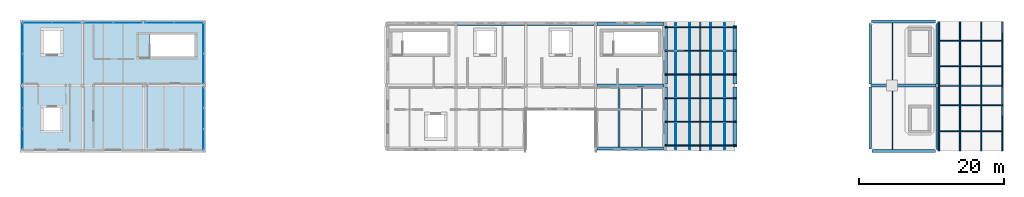
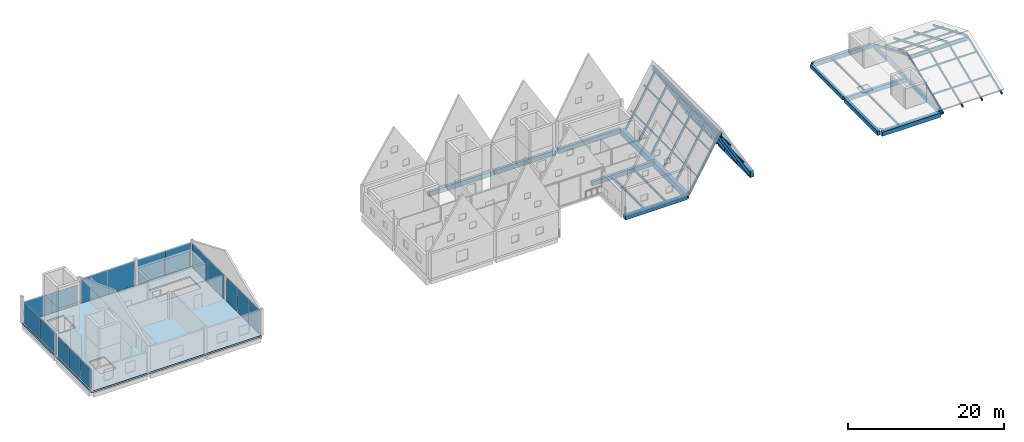
# One storey, part 5 of 13: 28 members, 22 beams, 16 plates, 1 slab, 7 elements without a shape of their own.
"""IFC4 building model written with IfcOpenShell, lengths in metres."""

from ifc_helpers import new_model, si_unit, direction, frame, origin, origin_2d, place, context, subcontext, project, spatial, polyline, rectangle, i_section, outline, extrude, material, layer, layer_set, material_profile, profile_set, type_object, element, aggregate, save


model = new_model("IFC4")

# Units and contexts
model_context = context("Model", 3, precision=1e-05, world=origin(), true_north=direction((0.0, 1.0)))
body_context = subcontext(model_context, "Body", "Model", "MODEL_VIEW")
ifc_project = project(units=[si_unit("LENGTHUNIT", "METRE"), si_unit("AREAUNIT", "SQUARE_METRE"), si_unit("VOLUMEUNIT", "CUBIC_METRE"), si_unit("PLANEANGLEUNIT", "RADIAN"), si_unit("MASSUNIT", "GRAM", prefix="KILO")], contexts=[model_context])

# Site, building, storey
site_placement = place(None, origin())
site = spatial("IfcSite", under=ifc_project, at=site_placement, CompositionType="ELEMENT")
building_placement = place(site_placement, origin())
building = spatial("IfcBuilding", under=site, at=building_placement, Name="Birchvale Park Specialist Clinic", CompositionType="ELEMENT")
storey_placement = place(building_placement, frame((0.0, 0.0, 22.199951171875)))
storey = spatial("IfcBuildingStorey", under=building, at=storey_placement, Name="L05", CompositionType="ELEMENT", Elevation=22.199951171875)

# Beams
ifc_material_1 = material(Name="Concrete C40/50", Category="concrete")
ifc_material_profile_1 = material_profile(ifc_material_1, rectangle(XDim=0.419921875, YDim=0.719970703125, at=origin_2d()), Name="RCB-420x720")
ifc_profile_set_1 = profile_set([ifc_material_profile_1], Name="Concrete C40/50")
beam_type_1 = type_object("IfcBeamType", Name="BM-EXT-BG3", PredefinedType="BEAM", material=ifc_profile_set_1)
beam_1_placement = place(storey_placement, frame((90.385009765625, 17.14990234375, -0.619873046875), z_axis=(1.0, 0.0, 0.0), x_axis=(0.0, 1.0, 0.0)))
element("IfcBeam", 1, at=beam_1_placement, inside=storey, type_object=beam_type_1, Name="V4 L05 X girder 3", PredefinedType="BEAM", context=body_context, shape_type="SweptSolid", body=[
    extrude(rectangle(XDim=0.419921875, YDim=0.719970703125, at=origin_2d()), origin(), (0.0, 0.0, 1.0), 9.175048828125),
])
beam_2_placement = place(storey_placement, frame((71.215087890625, 34.25, -0.619873046875), z_axis=(1.0, 0.0, 0.0), x_axis=(0.0, 1.0, 0.0)))
element("IfcBeam", 2, at=beam_2_placement, inside=storey, type_object=beam_type_1, Name="V4 L05 X girder 9", PredefinedType="BEAM", context=body_context, shape_type="SweptSolid", body=[
    extrude(rectangle(XDim=0.419921875, YDim=0.719970703125, at=origin_2d()), origin(), (0.0, 0.0, 1.0), 9.19482421875),
])
beam_3_placement = place(storey_placement, frame((80.7900390625, 34.25, -0.619873046875), z_axis=(1.0, 0.0, 0.0), x_axis=(0.0, 1.0, 0.0)))
element("IfcBeam", 3, at=beam_3_placement, inside=storey, type_object=beam_type_1, Name="V4 L05 X girder 10", PredefinedType="BEAM", context=body_context, shape_type="SweptSolid", body=[
    extrude(rectangle(XDim=0.419921875, YDim=0.719970703125, at=origin_2d()), origin(), (0.0, 0.0, 1.0), 9.224853515625),
])
beam_4_placement = place(storey_placement, frame((90.385009765625, 34.25, -0.619873046875), z_axis=(1.0, 0.0, 0.0), x_axis=(0.0, 1.0, 0.0)))
element("IfcBeam", 4, at=beam_4_placement, inside=storey, type_object=beam_type_1, Name="V4 L05 X girder 11", PredefinedType="BEAM", context=body_context, shape_type="SweptSolid", body=[
    extrude(rectangle(XDim=0.419921875, YDim=0.719970703125, at=origin_2d()), origin(), (0.0, 0.0, 1.0), 9.22998046875),
])
ifc_material_profile_2 = material_profile(ifc_material_1, rectangle(XDim=0.3798828125, YDim=0.639892578125, at=origin_2d()), Name="RCB-380x640")
ifc_profile_set_2 = profile_set([ifc_material_profile_2], Name="Concrete C40/50")
beam_type_2 = type_object("IfcBeamType", Name="BM-EXT-BG5", PredefinedType="BEAM", material=ifc_profile_set_2)
beam_5_placement = place(storey_placement, frame((128.0, 17.050048828125, -0.594970703125), z_axis=(0.0, 1.0, 0.0), x_axis=(-1.0, 0.0, 0.0)))
element("IfcBeam", 5, at=beam_5_placement, inside=storey, type_object=beam_type_2, Name="V5 L05 Y girder 4", PredefinedType="BEAM", context=body_context, shape_type="SweptSolid", body=[
    extrude(rectangle(XDim=0.3798828125, YDim=0.639892578125, at=origin_2d()), origin(), (0.0, 0.0, 1.0), 8.550048828125),
])
beam_6_placement = place(storey_placement, frame((137.199951171875, 17.02490234375, -0.594970703125), z_axis=(0.0, 1.0, 0.0), x_axis=(-1.0, 0.0, 0.0)))
element("IfcBeam", 6, at=beam_6_placement, inside=storey, type_object=beam_type_2, Name="V5 L05 Y girder 6", PredefinedType="BEAM", context=body_context, shape_type="SweptSolid", body=[
    extrude(rectangle(XDim=0.3798828125, YDim=0.639892578125, at=origin_2d()), origin(), (0.0, 0.0, 1.0), 8.525146484375),
])
ifc_material_profile_3 = material_profile(ifc_material_1, rectangle(XDim=0.320068359375, YDim=0.5400390625, at=origin_2d()), Name="RCB-320x540")
ifc_profile_set_3 = profile_set([ifc_material_profile_3], Name="Concrete C40/50")
beam_type_3 = type_object("IfcBeamType", Name="BM-EXT-BG7", PredefinedType="BEAM", material=ifc_profile_set_3)
beam_7_placement = place(storey_placement, frame((128.0, 26.0, -0.544921875), z_axis=(0.0, 1.0, 0.0), x_axis=(-1.0, 0.0, 0.0)))
element("IfcBeam", 7, at=beam_7_placement, inside=storey, type_object=beam_type_3, Name="V5 L05 Y girder 5", PredefinedType="BEAM", context=body_context, shape_type="SweptSolid", body=[
    extrude(rectangle(XDim=0.320068359375, YDim=0.5400390625, at=origin_2d()), origin(), (0.0, 0.0, 1.0), 8.375),
])
beam_8_placement = place(storey_placement, frame((137.199951171875, 26.050048828125, -0.544921875), z_axis=(0.0, 1.0, 0.0), x_axis=(-1.0, 0.0, 0.0)))
element("IfcBeam", 8, at=beam_8_placement, inside=storey, type_object=beam_type_3, Name="V5 L05 Y girder 7", PredefinedType="BEAM", context=body_context, shape_type="SweptSolid", body=[
    extrude(rectangle(XDim=0.320068359375, YDim=0.5400390625, at=origin_2d()), origin(), (0.0, 0.0, 1.0), 8.300048828125),
])
ifc_material_profile_4 = material_profile(ifc_material_1, rectangle(XDim=0.550048828125, YDim=0.93994140625, at=origin_2d()), Name="RCB-550x940")
ifc_profile_set_4 = profile_set([ifc_material_profile_4], Name="Concrete C40/50")
beam_type_4 = type_object("IfcBeamType", Name="BM-EXT-RB1", PredefinedType="BEAM", material=ifc_profile_set_4)
beam_9_placement = place(storey_placement, frame((99.800048828125, 17.389892578125, -0.72998046875), z_axis=(0.0, 1.0, 0.0), x_axis=(-1.0, 0.0, 0.0)))
element("IfcBeam", 9, at=beam_9_placement, inside=storey, type_object=beam_type_4, Name="V4 L05 Y girder 20", PredefinedType="BEAM", context=body_context, shape_type="SweptSolid", body=[
    extrude(rectangle(XDim=0.550048828125, YDim=0.93994140625, at=origin_2d()), origin(), (0.0, 0.0, 1.0), 8.210205078125),
])
beam_10_placement = place(storey_placement, frame((99.800048828125, 26.0, -0.72998046875), z_axis=(0.0, 1.0, 0.0), x_axis=(-1.0, 0.0, 0.0)))
element("IfcBeam", 10, at=beam_10_placement, inside=storey, type_object=beam_type_4, Name="V4 L05 Y girder 21", PredefinedType="BEAM", context=body_context, shape_type="SweptSolid", body=[
    extrude(rectangle(XDim=0.550048828125, YDim=0.93994140625, at=origin_2d()), origin(), (0.0, 0.0, 1.0), 8.010009765625),
])
beam_11_placement = place(storey_placement, frame((109.39990234375, 17.340087890625, -0.679931640625), z_axis=(0.0, 1.0, 0.0), x_axis=(-1.0, 0.0, 0.0)))
element("IfcBeam", 11, at=beam_11_placement, inside=storey, type_object=beam_type_4, Name="L05 gable eave girder 109", PredefinedType="BEAM", context=body_context, shape_type="SweptSolid", body=[
    extrude(rectangle(XDim=0.550048828125, YDim=0.93994140625, at=origin_2d()), origin(), (0.0, 0.0, 1.0), 8.27001953125),
])
beam_12_placement = place(storey_placement, frame((109.39990234375, 25.989990234375, -0.679931640625), z_axis=(0.0, 1.0, 0.0), x_axis=(-1.0, 0.0, 0.0)))
element("IfcBeam", 12, at=beam_12_placement, inside=storey, type_object=beam_type_4, Name="L05 gable eave girder 109", PredefinedType="BEAM", context=body_context, shape_type="SweptSolid", body=[
    extrude(rectangle(XDim=0.550048828125, YDim=0.93994140625, at=origin_2d()), origin(), (0.0, 0.0, 1.0), 8.070068359375),
])
ifc_material_profile_5 = material_profile(ifc_material_1, rectangle(XDim=0.419921875, YDim=0.679931640625, at=origin_2d()), Name="RCB-420x680")
ifc_profile_set_5 = profile_set([ifc_material_profile_5], Name="Concrete C40/50")
beam_type_5 = type_object("IfcBeamType", Name="BM-INT-BG3", PredefinedType="BEAM", material=ifc_profile_set_5)
beam_13_placement = place(storey_placement, frame((90.425048828125, 25.800048828125, -0.599853515625), z_axis=(1.0, 0.0, 0.0), x_axis=(0.0, 1.0, 0.0)))
element("IfcBeam", 13, at=beam_13_placement, inside=storey, type_object=beam_type_5, Name="V4 L05 X girder 7", PredefinedType="BEAM", context=body_context, shape_type="SweptSolid", body=[
    extrude(rectangle(XDim=0.419921875, YDim=0.679931640625, at=origin_2d()), origin(), (0.0, 0.0, 1.0), 9.175048828125),
])
ifc_material_profile_6 = material_profile(ifc_material_1, rectangle(XDim=0.39990234375, YDim=0.64990234375, at=origin_2d()), Name="RCB-400x650")
ifc_profile_set_6 = profile_set([ifc_material_profile_6], Name="Concrete C40/50")
beam_type_6 = type_object("IfcBeamType", Name="BM-INT-BG4", PredefinedType="BEAM", material=ifc_profile_set_6)
beam_14_placement = place(storey_placement, frame((128.25, 16.800048828125, -0.599853515625), z_axis=(1.0, 0.0, 0.0), x_axis=(0.0, 1.0, 0.0)))
element("IfcBeam", 14, at=beam_14_placement, inside=storey, type_object=beam_type_6, Name="V5 L05 X girder 1", PredefinedType="BEAM", context=body_context, shape_type="SweptSolid", body=[
    extrude(rectangle(XDim=0.39990234375, YDim=0.64990234375, at=origin_2d()), origin(), (0.0, 0.0, 1.0), 8.72509765625),
])
beam_15_placement = place(storey_placement, frame((128.199951171875, 25.800048828125, -0.599853515625), z_axis=(1.0, 0.0, 0.0), x_axis=(0.0, 1.0, 0.0)))
element("IfcBeam", 15, at=beam_15_placement, inside=storey, type_object=beam_type_6, Name="V5 L05 X girder 2", PredefinedType="BEAM", context=body_context, shape_type="SweptSolid", body=[
    extrude(rectangle(XDim=0.39990234375, YDim=0.64990234375, at=origin_2d()), origin(), (0.0, 0.0, 1.0), 8.824951171875),
])
beam_16_placement = place(storey_placement, frame((128.175048828125, 34.60009765625, -0.599853515625), z_axis=(1.0, 0.0, 0.0), x_axis=(0.0, 1.0, 0.0)))
element("IfcBeam", 16, at=beam_16_placement, inside=storey, type_object=beam_type_6, Name="V5 L05 X girder 3", PredefinedType="BEAM", context=body_context, shape_type="SweptSolid", body=[
    extrude(rectangle(XDim=0.39990234375, YDim=0.64990234375, at=origin_2d()), origin(), (0.0, 0.0, 1.0), 8.77490234375),
])

# Members
ifc_material_2 = material(Name="Glulam GL28h", Category="wood")
ifc_material_profile_7 = material_profile(ifc_material_2, rectangle(XDim=0.139892578125, YDim=0.239990234375, at=origin_2d()), Name="GL-140x240")
ifc_profile_set_7 = profile_set([ifc_material_profile_7], Name="Glulam GL28h")
member_type_1 = type_object("IfcMemberType", Name="MEM-GP1", PredefinedType="PURLIN", material=ifc_profile_set_7)
for number, where, z_axis, x_axis, name in (
    (17, (137.449951171875, 19.5, 0.747802734375), (1.0, 0.0, 0.0), (0.0, 1.0, 0.0), "L05 glulam roof purlin V5-L05-G1 S.1"),
    (18, (137.449951171875, 23.10009765625, 2.227783203125), (1.0, 0.0, 0.0), (0.0, 1.0, 0.0), "L05 glulam roof purlin V5-L05-G1 S.2"),
    (19, (137.449951171875, 28.43994140625, 2.2265625), (1.0, 0.0, 0.0), (0.0, 1.0, 0.0), "L05 glulam roof purlin V5-L05-G1 N.1"),
    (20, (137.449951171875, 31.9599609375, 0.74658203125), (1.0, 0.0, 0.0), (0.0, 1.0, 0.0), "L05 glulam roof purlin V5-L05-G1 N.2"),
):
    element("IfcMember", number, at=place(storey_placement, frame(where, z_axis=z_axis, x_axis=x_axis)), inside=storey, type_object=member_type_1, Name=name, PredefinedType="PURLIN", context=body_context, shape_type="SweptSolid", body=[
        extrude(rectangle(XDim=0.139892578125, YDim=0.239990234375, at=origin_2d()), origin(), (0.0, 0.0, 1.0), 8.699951171875),
    ])
ifc_material_profile_8 = material_profile(ifc_material_2, rectangle(XDim=0.1201171875, YDim=0.199951171875, at=origin_2d()), Name="GL-120x200")
ifc_profile_set_8 = profile_set([ifc_material_profile_8], Name="Glulam GL28h")
member_type_2 = type_object("IfcMemberType", Name="MEM-GP2", PredefinedType="PURLIN", material=ifc_profile_set_8)
for number, where, z_axis, x_axis, name in (
    (21, (101.239990234375, 17.050048828125, 1.85498046875), (0.0, 1.0, 0.0), (-1.0, 0.0, 0.0), "L05 glulam roof purlin V4-B6 W.1"),
    (22, (103.159912109375, 17.050048828125, 5.21484375), (0.0, 1.0, 0.0), (-1.0, 0.0, 0.0), "L05 glulam roof purlin V4-B6 W.2"),
    (23, (106.0400390625, 17.050048828125, 5.21484375), (0.0, 1.0, 0.0), (-1.0, 0.0, 0.0), "L05 glulam roof purlin V4-B6 E.1"),
    (24, (107.9599609375, 17.050048828125, 1.85498046875), (0.0, 1.0, 0.0), (-1.0, 0.0, 0.0), "L05 glulam roof purlin V4-B6 E.2"),
):
    element("IfcMember", number, at=place(storey_placement, frame(where, z_axis=z_axis, x_axis=x_axis)), inside=storey, type_object=member_type_2, Name=name, PredefinedType="PURLIN", context=body_context, shape_type="SweptSolid", body=[
        extrude(rectangle(XDim=0.1201171875, YDim=0.199951171875, at=origin_2d()), origin(), (0.0, 0.0, 1.0), 17.300048828125),
    ])
ifc_material_profile_9 = material_profile(ifc_material_2, rectangle(XDim=0.159912109375, YDim=0.320068359375, at=origin_2d()), Name="GL-160x320")
ifc_profile_set_9 = profile_set([ifc_material_profile_9], Name="Glulam GL28h")
member_type_3 = type_object("IfcMemberType", Name="MEM-GR2", PredefinedType="RAFTER", material=ifc_profile_set_9)
for number, where, z_axis, x_axis, name in (
    (25, (99.85009765625, 17.550048828125, -1.1015625), (0.496141713828, 0.0, 0.868241556135), (0.0, 1.0, 0.0), "L05 glulam roof rafter V4-B6 W.1"),
    (26, (99.85009765625, 20.81005859375, -1.1015625), (0.496141713828, 0.0, 0.868241556135), (0.0, 1.0, 0.0), "L05 glulam roof rafter V4-B6 W.2"),
    (27, (99.85009765625, 24.070068359375, -1.1015625), (0.496141713828, 0.0, 0.868241556135), (0.0, 1.0, 0.0), "L05 glulam roof rafter V4-B6 W.3"),
    (28, (99.85009765625, 27.330078125, -1.1015625), (0.496141713828, 0.0, 0.868241556135), (0.0, 1.0, 0.0), "L05 glulam roof rafter V4-B6 W.4"),
    (29, (99.85009765625, 30.590087890625, -1.1015625), (0.496141713828, 0.0, 0.868241556135), (0.0, 1.0, 0.0), "L05 glulam roof rafter V4-B6 W.5"),
    (30, (99.85009765625, 33.85009765625, -1.1015625), (0.496141713828, 0.0, 0.868241556135), (0.0, 1.0, 0.0), "L05 glulam roof rafter V4-B6 W.6"),
):
    element("IfcMember", number, at=place(storey_placement, frame(where, z_axis=z_axis, x_axis=x_axis)), inside=storey, type_object=member_type_3, Name=name, PredefinedType="RAFTER", context=body_context, shape_type="SweptSolid", body=[
        extrude(rectangle(XDim=0.159912109375, YDim=0.320068359375, at=origin_2d()), origin(), (0.0, 0.0, 1.0), 9.472900390625),
    ])
for number, where, z_axis, x_axis, name in (
    (31, (104.64990234375, 17.550048828125, 7.123291015625), (0.496161141701, 0.0, -0.868230454123), (0.0, 1.0, 0.0), "L05 glulam roof rafter V4-B6 E.1"),
    (32, (104.64990234375, 20.81005859375, 7.123291015625), (0.496161141701, 0.0, -0.868230454123), (0.0, 1.0, 0.0), "L05 glulam roof rafter V4-B6 E.2"),
    (33, (104.64990234375, 24.070068359375, 7.123291015625), (0.496161141701, 0.0, -0.868230454123), (0.0, 1.0, 0.0), "L05 glulam roof rafter V4-B6 E.3"),
    (34, (104.64990234375, 27.330078125, 7.123291015625), (0.496161141701, 0.0, -0.868230454123), (0.0, 1.0, 0.0), "L05 glulam roof rafter V4-B6 E.4"),
    (35, (104.64990234375, 30.590087890625, 7.123291015625), (0.496161141701, 0.0, -0.868230454123), (0.0, 1.0, 0.0), "L05 glulam roof rafter V4-B6 E.5"),
    (36, (104.64990234375, 33.85009765625, 7.123291015625), (0.496161141701, 0.0, -0.868230454123), (0.0, 1.0, 0.0), "L05 glulam roof rafter V4-B6 E.6"),
):
    element("IfcMember", number, at=place(storey_placement, frame(where, z_axis=z_axis, x_axis=x_axis)), inside=storey, type_object=member_type_3, Name=name, PredefinedType="RAFTER", context=body_context, shape_type="SweptSolid", body=[
        extrude(rectangle(XDim=0.159912109375, YDim=0.320068359375, at=origin_2d()), origin(), (0.0, 0.0, 1.0), 9.47314453125),
    ])
for number, where, z_axis, x_axis, name in (
    (37, (137.449951171875, 16.85009765625, -0.644287109375), (0.0, 0.924887609814, 0.380240593852), (-1.0, 0.0, 0.0), "L05 glulam roof rafter V5-L05-G1 S.1"),
    (38, (140.35009765625, 16.85009765625, -0.644287109375), (0.0, 0.924887609814, 0.380240593852), (-1.0, 0.0, 0.0), "L05 glulam roof rafter V5-L05-G1 S.2"),
    (39, (143.25, 16.85009765625, -0.644287109375), (0.0, 0.924887609814, 0.380240593852), (-1.0, 0.0, 0.0), "L05 glulam roof rafter V5-L05-G1 S.3"),
    (40, (146.14990234375, 16.85009765625, -0.644287109375), (0.0, 0.924887609814, 0.380240593852), (-1.0, 0.0, 0.0), "L05 glulam roof rafter V5-L05-G1 S.4"),
):
    element("IfcMember", number, at=place(storey_placement, frame(where, z_axis=z_axis, x_axis=x_axis)), inside=storey, type_object=member_type_3, Name=name, PredefinedType="RAFTER", context=body_context, shape_type="SweptSolid", body=[
        extrude(rectangle(XDim=0.159912109375, YDim=0.320068359375, at=origin_2d()), origin(), (0.0, 0.0, 1.0), 9.622802734375),
    ])
for number, where, z_axis, x_axis, name in (
    (41, (137.449951171875, 25.85009765625, 3.011962890625), (0.0, 0.92183149429, -0.387590887581), (-1.0, 0.0, 0.0), "L05 glulam roof rafter V5-L05-G1 N.1"),
    (42, (140.35009765625, 25.85009765625, 3.011962890625), (0.0, 0.92183149429, -0.387590887581), (-1.0, 0.0, 0.0), "L05 glulam roof rafter V5-L05-G1 N.2"),
    (43, (143.25, 25.85009765625, 3.011962890625), (0.0, 0.92183149429, -0.387590887581), (-1.0, 0.0, 0.0), "L05 glulam roof rafter V5-L05-G1 N.3"),
    (44, (146.14990234375, 25.85009765625, 3.011962890625), (0.0, 0.92183149429, -0.387590887581), (-1.0, 0.0, 0.0), "L05 glulam roof rafter V5-L05-G1 N.4"),
):
    element("IfcMember", number, at=place(storey_placement, frame(where, z_axis=z_axis, x_axis=x_axis)), inside=storey, type_object=member_type_3, Name=name, PredefinedType="RAFTER", context=body_context, shape_type="SweptSolid", body=[
        extrude(rectangle(XDim=0.159912109375, YDim=0.320068359375, at=origin_2d()), origin(), (0.0, 0.0, 1.0), 9.437744140625),
    ])

# Beams
ifc_material_3 = material(Name="Steel ASTM A992 Grade 50", Category="steel")
ifc_material_profile_10 = material_profile(ifc_material_3, i_section(OverallWidth=0.22900390625, OverallDepth=0.612060546875, WebThickness=0.011962890625, FlangeThickness=0.01953125, at=origin_2d()), Name="W24X84")
ifc_profile_set_10 = profile_set([ifc_material_profile_10], Name="Steel ASTM A992 Grade 50")
beam_type_7 = type_object("IfcBeamType", Name="STL-EXT-SB2", PredefinedType="BEAM", material=ifc_profile_set_10)
beam_17_placement = place(storey_placement, frame((104.60009765625, 16.820068359375, 7.364013671875), z_axis=(0.0, 1.0, 0.0), x_axis=(-1.0, 0.0, 0.0)))
element("IfcBeam", 45, at=beam_17_placement, inside=storey, type_object=beam_type_7, Name="L05 gable ridge beam V4-B6", PredefinedType="BEAM", context=body_context, shape_type="SweptSolid", body=[
    extrude(i_section(OverallWidth=0.22900390625, OverallDepth=0.612060546875, WebThickness=0.011962890625, FlangeThickness=0.01953125, at=origin_2d()), origin(), (0.0, 0.0, 1.0), 17.760009765625),
])
beam_18_placement = place(storey_placement, frame((137.449951171875, 25.800048828125, 2.63916015625), z_axis=(1.0, 0.0, 0.0), x_axis=(0.0, 1.0, 0.0)))
element("IfcBeam", 46, at=beam_18_placement, inside=storey, type_object=beam_type_7, Name="L05 gable ridge beam V5-L05-G1", PredefinedType="BEAM", context=body_context, shape_type="SweptSolid", body=[
    extrude(i_section(OverallWidth=0.22900390625, OverallDepth=0.612060546875, WebThickness=0.011962890625, FlangeThickness=0.01953125, at=origin_2d()), origin(), (0.0, 0.0, 1.0), 8.699951171875),
])
ifc_material_profile_11 = material_profile(ifc_material_3, i_section(OverallWidth=0.25390625, OverallDepth=0.305908203125, WebThickness=0.0087890625, FlangeThickness=0.0146484375, at=origin_2d()), Name="W12X53")
ifc_profile_set_11 = profile_set([ifc_material_profile_11], Name="Steel ASTM A992 Grade 50")
beam_type_8 = type_object("IfcBeamType", Name="STL-INT-SJ2", PredefinedType="JOIST", material=ifc_profile_set_11)
beam_19_placement = place(storey_placement, frame((93.39990234375, 17.360107421875, -0.412841796875), z_axis=(0.0, 1.0, 0.0), x_axis=(-1.0, 0.0, 0.0)))
element("IfcBeam", 47, at=beam_19_placement, inside=storey, type_object=beam_type_8, Name="V4 L05 secondary floor joist 5", PredefinedType="JOIST", context=body_context, shape_type="SweptSolid", body=[
    extrude(i_section(OverallWidth=0.25390625, OverallDepth=0.305908203125, WebThickness=0.0087890625, FlangeThickness=0.0146484375, at=origin_2d()), origin(), (0.0, 0.0, 1.0), 8.22998046875),
])
ifc_material_profile_12 = material_profile(ifc_material_3, i_section(OverallWidth=0.1669921875, OverallDepth=0.31689453125, WebThickness=0.007568359375, FlangeThickness=0.01318359375, at=origin_2d()), Name="W12X35")
ifc_profile_set_12 = profile_set([ifc_material_profile_12], Name="Steel ASTM A992 Grade 50")
beam_type_9 = type_object("IfcBeamType", Name="STL-INT-SJ3", PredefinedType="JOIST", material=ifc_profile_set_12)
beam_20_placement = place(storey_placement, frame((96.60009765625, 17.360107421875, -0.41845703125), z_axis=(0.0, 1.0, 0.0), x_axis=(-1.0, 0.0, 0.0)))
element("IfcBeam", 48, at=beam_20_placement, inside=storey, type_object=beam_type_9, Name="V4 L05 secondary floor joist 6", PredefinedType="JOIST", context=body_context, shape_type="SweptSolid", body=[
    extrude(i_section(OverallWidth=0.1669921875, OverallDepth=0.31689453125, WebThickness=0.007568359375, FlangeThickness=0.01318359375, at=origin_2d()), origin(), (0.0, 0.0, 1.0), 8.22998046875),
])
beam_21_placement = place(storey_placement, frame((131.066650390625, 17.0, -0.433349609375), z_axis=(0.0, 1.0, 0.0), x_axis=(-1.0, 0.0, 0.0)))
element("IfcBeam", 49, at=beam_21_placement, inside=storey, type_object=beam_type_9, Name="V5 L05 secondary floor joist 1", PredefinedType="JOIST", context=body_context, shape_type="SweptSolid", body=[
    extrude(i_section(OverallWidth=0.1669921875, OverallDepth=0.31689453125, WebThickness=0.007568359375, FlangeThickness=0.01318359375, at=origin_2d()), origin(), (0.0, 0.0, 1.0), 8.60009765625),
])
beam_22_placement = place(storey_placement, frame((131.066650390625, 26.0, -0.433349609375), z_axis=(0.0, 1.0, 0.0), x_axis=(-1.0, 0.0, 0.0)))
element("IfcBeam", 50, at=beam_22_placement, inside=storey, type_object=beam_type_9, Name="V5 L05 secondary floor joist 2", PredefinedType="JOIST", context=body_context, shape_type="SweptSolid", body=[
    extrude(i_section(OverallWidth=0.1669921875, OverallDepth=0.31689453125, WebThickness=0.007568359375, FlangeThickness=0.01318359375, at=origin_2d()), origin(), (0.0, 0.0, 1.0), 8.39990234375),
])

# Curtain wall, plates
ifc_material_4 = material(Name="Thermally broken anodised aluminium", Category="aluminium")
ifc_layer_1 = layer(ifc_material_4, 0.195068359375)
ifc_layer_set_1 = layer_set([ifc_layer_1], Name="Thermally broken anodised aluminium")
curtain_wall_type = type_object("IfcCurtainWallType", Name="CW-U2", PredefinedType="USERDEFINED", material=ifc_layer_set_1)
curtain_wall_1_placement = place(storey_placement, origin())
curtain_wall_1 = element("IfcCurtainWall", 51, at=curtain_wall_1_placement, inside=storey, type_object=curtain_wall_type, Name="V2 L05 glazed curtain wall 145", ObjectType="UNITISED", PredefinedType="USERDEFINED")
ifc_material_5 = material(Name="Solar-control low-E double glazing", Category="glass")
ifc_layer_2 = layer(ifc_material_5, 0.031982421875)
ifc_layer_set_2 = layer_set([ifc_layer_2], Name="Solar-control low-E double glazing")
plate_type = type_object("IfcPlateType", Name="CWP2", PredefinedType="CURTAIN_PANEL", material=ifc_layer_set_2)
plate_1_placement = place(storey_placement, frame((36.2451171875, 18.424560546875, 0.06494140625), z_axis=(0.0, 0.0, 1.0), x_axis=(0.0, 1.0, 0.0)))
plate_1 = element("IfcPlate", 52, at=plate_1_placement, type_object=plate_type, Name="CW panel 1.1", PredefinedType="CURTAIN_PANEL", context=body_context, shape_type="SweptSolid", body=[
    extrude(rectangle(XDim=2.769287109375, YDim=0.031982421875, at=origin_2d()), origin(), (0.0, 0.0, 1.0), 3.7900390625),
])
plate_2_placement = place(storey_placement, frame((36.2451171875, 21.27490234375, 0.06494140625), z_axis=(0.0, 0.0, 1.0), x_axis=(0.0, 1.0, 0.0)))
plate_2 = element("IfcPlate", 53, at=plate_2_placement, type_object=plate_type, Name="CW panel 2.1", PredefinedType="CURTAIN_PANEL", context=body_context, shape_type="SweptSolid", body=[
    extrude(rectangle(XDim=2.8017578125, YDim=0.031982421875, at=origin_2d()), origin(), (0.0, 0.0, 1.0), 3.7900390625),
])
plate_3_placement = place(storey_placement, frame((36.2451171875, 24.12548828125, 0.06494140625), z_axis=(0.0, 0.0, 1.0), x_axis=(0.0, 1.0, 0.0)))
plate_3 = element("IfcPlate", 54, at=plate_3_placement, type_object=plate_type, Name="CW panel 3.1", PredefinedType="CURTAIN_PANEL", context=body_context, shape_type="SweptSolid", body=[
    extrude(rectangle(XDim=2.769287109375, YDim=0.031982421875, at=origin_2d()), origin(), (0.0, 0.0, 1.0), 3.7900390625),
])
aggregate(curtain_wall_1, [plate_1, plate_2, plate_3])

curtain_wall_2_placement = place(storey_placement, origin())
curtain_wall_2 = element("IfcCurtainWall", 55, at=curtain_wall_2_placement, inside=storey, type_object=curtain_wall_type, Name="V2 L05 glazed curtain wall 146", ObjectType="UNITISED", PredefinedType="USERDEFINED")
plate_4_placement = place(storey_placement, frame((36.2451171875, 28.141357421875, 0.06494140625), z_axis=(0.0, 0.0, 1.0), x_axis=(0.0, 1.0, 0.0)))
plate_4 = element("IfcPlate", 56, at=plate_4_placement, type_object=plate_type, Name="CW panel 1.1", PredefinedType="CURTAIN_PANEL", context=body_context, shape_type="SweptSolid", body=[
    extrude(rectangle(XDim=4.1025390625, YDim=0.031982421875, at=origin_2d()), origin(), (0.0, 0.0, 1.0), 3.7900390625),
])
plate_5_placement = place(storey_placement, frame((36.2451171875, 32.308837890625, 0.06494140625), z_axis=(0.0, 0.0, 1.0), x_axis=(0.0, 1.0, 0.0)))
plate_5 = element("IfcPlate", 57, at=plate_5_placement, type_object=plate_type, Name="CW panel 2.1", PredefinedType="CURTAIN_PANEL", context=body_context, shape_type="SweptSolid", body=[
    extrude(rectangle(XDim=4.1025390625, YDim=0.031982421875, at=origin_2d()), origin(), (0.0, 0.0, 1.0), 3.7900390625),
])
aggregate(curtain_wall_2, [plate_4, plate_5])

curtain_wall_3_placement = place(storey_placement, origin())
curtain_wall_3 = element("IfcCurtainWall", 58, at=curtain_wall_3_placement, inside=storey, type_object=curtain_wall_type, Name="V2 L05 glazed curtain wall 147", ObjectType="UNITISED", PredefinedType="USERDEFINED")
plate_6_placement = place(storey_placement, frame((34.202392578125, 34.445068359375, 0.06494140625), z_axis=(0.0, 0.0, 1.0), x_axis=(-1.0, 0.0, 0.0)))
plate_6 = element("IfcPlate", 59, at=plate_6_placement, type_object=plate_type, Name="CW panel 1.1", PredefinedType="CURTAIN_PANEL", context=body_context, shape_type="SweptSolid", body=[
    extrude(rectangle(XDim=3.9150390625, YDim=0.031982421875, at=origin_2d()), origin(), (0.0, 0.0, 1.0), 3.7900390625),
])
plate_7_placement = place(storey_placement, frame((30.222412109375, 34.445068359375, 0.06494140625), z_axis=(0.0, 0.0, 1.0), x_axis=(-1.0, 0.0, 0.0)))
plate_7 = element("IfcPlate", 60, at=plate_7_placement, type_object=plate_type, Name="CW panel 2.1", PredefinedType="CURTAIN_PANEL", context=body_context, shape_type="SweptSolid", body=[
    extrude(rectangle(XDim=3.9150390625, YDim=0.031982421875, at=origin_2d()), origin(), (0.0, 0.0, 1.0), 3.7900390625),
])
aggregate(curtain_wall_3, [plate_6, plate_7])

curtain_wall_4_placement = place(storey_placement, origin())
curtain_wall_4 = element("IfcCurtainWall", 61, at=curtain_wall_4_placement, inside=storey, type_object=curtain_wall_type, Name="V2 L05 glazed curtain wall 148", ObjectType="UNITISED", PredefinedType="USERDEFINED")
plate_8_placement = place(storey_placement, frame((25.7900390625, 34.445068359375, 0.06494140625), z_axis=(0.0, 0.0, 1.0), x_axis=(-1.0, 0.0, 0.0)))
plate_8 = element("IfcPlate", 62, at=plate_8_placement, type_object=plate_type, Name="CW panel 1.1", PredefinedType="CURTAIN_PANEL", context=body_context, shape_type="SweptSolid", body=[
    extrude(rectangle(XDim=3.889892578125, YDim=0.031982421875, at=origin_2d()), origin(), (0.0, 0.0, 1.0), 3.7900390625),
])
plate_9_placement = place(storey_placement, frame((21.8349609375, 34.445068359375, 0.06494140625), z_axis=(0.0, 0.0, 1.0), x_axis=(-1.0, 0.0, 0.0)))
plate_9 = element("IfcPlate", 63, at=plate_9_placement, type_object=plate_type, Name="CW panel 2.1", PredefinedType="CURTAIN_PANEL", context=body_context, shape_type="SweptSolid", body=[
    extrude(rectangle(XDim=3.889892578125, YDim=0.031982421875, at=origin_2d()), origin(), (0.0, 0.0, 1.0), 3.7900390625),
])
aggregate(curtain_wall_4, [plate_8, plate_9])

curtain_wall_5_placement = place(storey_placement, origin())
curtain_wall_5 = element("IfcCurtainWall", 64, at=curtain_wall_5_placement, inside=storey, type_object=curtain_wall_type, Name="V2 L05 glazed curtain wall 149", ObjectType="UNITISED", PredefinedType="USERDEFINED")
plate_10_placement = place(storey_placement, frame((17.358642578125, 34.445068359375, 0.065185546875), z_axis=(0.0, 0.0, 1.0), x_axis=(-1.0, 0.0, 0.0)))
plate_10 = element("IfcPlate", 65, at=plate_10_placement, type_object=plate_type, Name="CW panel 1.1", PredefinedType="CURTAIN_PANEL", context=body_context, shape_type="SweptSolid", body=[
    extrude(rectangle(XDim=3.902587890625, YDim=0.031982421875, at=origin_2d()), origin(), (0.0, 0.0, 1.0), 3.1298828125),
])
plate_11_placement = place(storey_placement, frame((13.391357421875, 34.445068359375, 0.065185546875), z_axis=(0.0, 0.0, 1.0), x_axis=(-1.0, 0.0, 0.0)))
plate_11 = element("IfcPlate", 66, at=plate_11_placement, type_object=plate_type, Name="CW panel 2.1", PredefinedType="CURTAIN_PANEL", context=body_context, shape_type="SweptSolid", body=[
    extrude(rectangle(XDim=3.902587890625, YDim=0.031982421875, at=origin_2d()), origin(), (0.0, 0.0, 1.0), 3.1298828125),
])
aggregate(curtain_wall_5, [plate_10, plate_11])

curtain_wall_6_placement = place(storey_placement, origin())
curtain_wall_6 = element("IfcCurtainWall", 67, at=curtain_wall_6_placement, inside=storey, type_object=curtain_wall_type, Name="V2 L05 glazed curtain wall 150", ObjectType="UNITISED", PredefinedType="USERDEFINED")
plate_12_placement = place(storey_placement, frame((11.35498046875, 32.264892578125, 0.06494140625), z_axis=(0.0, 0.0, 1.0), x_axis=(0.0, -1.0, 0.0)))
plate_12 = element("IfcPlate", 68, at=plate_12_placement, type_object=plate_type, Name="CW panel 1.1", PredefinedType="CURTAIN_PANEL", context=body_context, shape_type="SweptSolid", body=[
    extrude(rectangle(XDim=4.090087890625, YDim=0.031982421875, at=origin_2d()), origin(), (0.0, 0.0, 1.0), 3.239990234375),
])
plate_13_placement = place(storey_placement, frame((11.35498046875, 28.110107421875, 0.06494140625), z_axis=(0.0, 0.0, 1.0), x_axis=(0.0, -1.0, 0.0)))
plate_13 = element("IfcPlate", 69, at=plate_13_placement, type_object=plate_type, Name="CW panel 2.1", PredefinedType="CURTAIN_PANEL", context=body_context, shape_type="SweptSolid", body=[
    extrude(rectangle(XDim=4.090087890625, YDim=0.031982421875, at=origin_2d()), origin(), (0.0, 0.0, 1.0), 3.239990234375),
])
aggregate(curtain_wall_6, [plate_12, plate_13])

curtain_wall_7_placement = place(storey_placement, origin())
curtain_wall_7 = element("IfcCurtainWall", 70, at=curtain_wall_7_placement, inside=storey, type_object=curtain_wall_type, Name="V2 L05 glazed curtain wall 151", ObjectType="UNITISED", PredefinedType="USERDEFINED")
plate_14_placement = place(storey_placement, frame((11.35498046875, 24.154541015625, 0.06494140625), z_axis=(0.0, 0.0, 1.0), x_axis=(0.0, -1.0, 0.0)))
plate_14 = element("IfcPlate", 71, at=plate_14_placement, type_object=plate_type, Name="CW panel 1.1", PredefinedType="CURTAIN_PANEL", context=body_context, shape_type="SweptSolid", body=[
    extrude(rectangle(XDim=2.7607421875, YDim=0.031982421875, at=origin_2d()), origin(), (0.0, 0.0, 1.0), 3.139892578125),
])
plate_15_placement = place(storey_placement, frame((11.35498046875, 21.3125, 0.06494140625), z_axis=(0.0, 0.0, 1.0), x_axis=(0.0, -1.0, 0.0)))
plate_15 = element("IfcPlate", 72, at=plate_15_placement, type_object=plate_type, Name="CW panel 2.1", PredefinedType="CURTAIN_PANEL", context=body_context, shape_type="SweptSolid", body=[
    extrude(rectangle(XDim=2.793212890625, YDim=0.031982421875, at=origin_2d()), origin(), (0.0, 0.0, 1.0), 3.139892578125),
])
plate_16_placement = place(storey_placement, frame((11.35498046875, 18.470458984375, 0.06494140625), z_axis=(0.0, 0.0, 1.0), x_axis=(0.0, -1.0, 0.0)))
plate_16 = element("IfcPlate", 73, at=plate_16_placement, type_object=plate_type, Name="CW panel 3.1", PredefinedType="CURTAIN_PANEL", context=body_context, shape_type="SweptSolid", body=[
    extrude(rectangle(XDim=2.7607421875, YDim=0.031982421875, at=origin_2d()), origin(), (0.0, 0.0, 1.0), 3.139892578125),
])
aggregate(curtain_wall_7, [plate_14, plate_15, plate_16])

# Slab
ifc_material_6 = material(Name="Concrete C35/45", Category="concrete")
ifc_layer_3 = layer(ifc_material_6, 0.260009765625)
ifc_layer_set_3 = layer_set([ifc_layer_3], Name="Concrete C35/45")
slab_type = type_object("IfcSlabType", Name="SLB-FS5", PredefinedType="FLOOR", material=ifc_layer_set_3)
slab_placement = place(storey_placement, frame((0.0, 0.0, -0.260009765625)))
element("IfcSlab", 74, at=slab_placement, inside=storey, type_object=slab_type, Name="V2 L05 structural slab 1", PredefinedType="FLOOR", context=body_context, shape_type="SweptSolid", body=[
    extrude(outline(polyline([(11.199951171875, 16.800048828125), (36.39990234375, 16.800048828125), (36.39990234375, 34.60009765625), (11.199951171875, 34.60009765625), (11.199951171875, 16.800048828125)]), holes=[polyline([(28.905029296875, 29.800048828125), (35.0, 29.800048828125), (35.0, 32.800048828125), (28.905029296875, 32.800048828125), (28.905029296875, 29.800048828125)]), polyline([(14.25, 19.64990234375), (16.550048828125, 19.64990234375), (16.550048828125, 22.75), (14.25, 22.75), (14.25, 19.64990234375)]), polyline([(14.199951171875, 30.199951171875), (16.60009765625, 30.199951171875), (16.60009765625, 33.39990234375), (14.199951171875, 33.39990234375), (14.199951171875, 30.199951171875)])]), origin(), (0.0, 0.0, 1.0), 0.260009765625),
])

save(model, "model.ifc")
